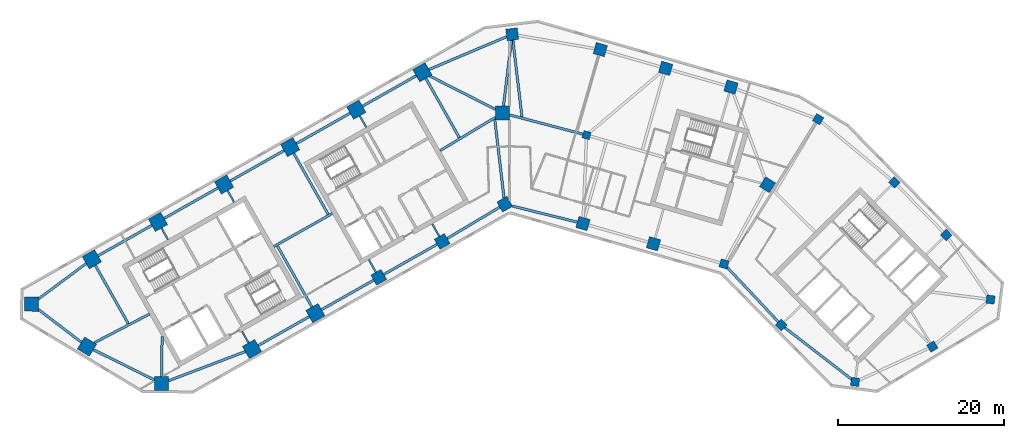
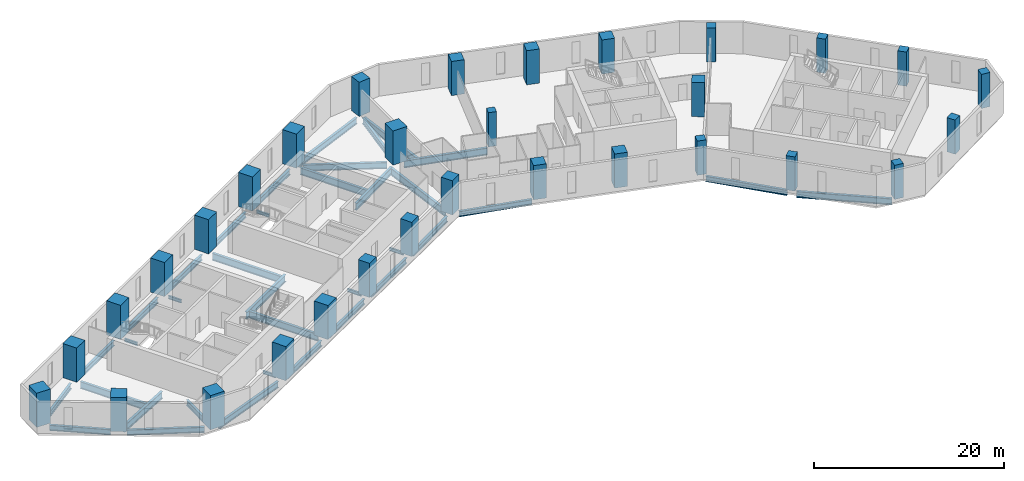
# One storey, part 1 of 10: 36 beams, 31 columns.
"""IFC4 building model written with IfcOpenShell, lengths in metres."""

from ifc_helpers import new_model, si_unit, direction, frame, origin, origin_2d, place, context, subcontext, project, spatial, rectangle, i_section, extrude, material, material_profile, profile_set, type_object, element, save


model = new_model("IFC4")

# Units and contexts
model_context = context("Model", 3, precision=1e-05, world=origin(), true_north=direction((0.0, 1.0)))
body_context = subcontext(model_context, "Body", "Model", "MODEL_VIEW")
ifc_project = project(units=[si_unit("LENGTHUNIT", "METRE"), si_unit("AREAUNIT", "SQUARE_METRE"), si_unit("VOLUMEUNIT", "CUBIC_METRE"), si_unit("PLANEANGLEUNIT", "RADIAN"), si_unit("MASSUNIT", "GRAM", prefix="KILO")], contexts=[model_context])

# Site, building, storey
site_placement = place(None, origin())
site = spatial("IfcSite", under=ifc_project, at=site_placement, CompositionType="ELEMENT")
building_placement = place(site_placement, origin())
building = spatial("IfcBuilding", under=site, at=building_placement, Name="Binnacle Exchange Tower", CompositionType="ELEMENT")
storey_placement = place(building_placement, frame((0.0, 0.0, 110.300048828125)))
storey = spatial("IfcBuildingStorey", under=building, at=storey_placement, Name="L22", CompositionType="ELEMENT", Elevation=110.300048828125)

# Columns
ifc_material_1 = material(Name="Concrete C60/75", Category="concrete")
ifc_material_profile_1 = material_profile(ifc_material_1, rectangle(XDim=0.89990234375, YDim=0.89990234375, at=origin_2d()), Name="Column 900x900 C60/75")
ifc_profile_set_1 = profile_set([ifc_material_profile_1], Name="Concrete C60/75")
column_type_1 = type_object("IfcColumnType", Name="Column 900x900 C60/75", PredefinedType="COLUMN", material=ifc_profile_set_1)
column_placement = place(storey_placement, frame((9.240966796875, 57.35009765625, 0.0), z_axis=(0.0, 0.0, 1.0), x_axis=(0.961261695938, -0.275637355817, 0.0)))
element("IfcColumn", 1, at=column_placement, inside=storey, type_object=column_type_1, Name="S:COL:C19:L22", PredefinedType="COLUMN", context=body_context, shape_type="SweptSolid", body=[
    extrude(rectangle(XDim=0.89990234375, YDim=0.89990234375, at=origin_2d()), origin(), (0.0, 0.0, 1.0), 4.39990234375),
])
ifc_material_2 = material(Name="Concrete C70/85", Category="concrete")
ifc_material_profile_2 = material_profile(ifc_material_2, rectangle(XDim=1.0, YDim=1.0, at=origin_2d()), Name="Mega column 1000x1000 C70/85")
ifc_profile_set_2 = profile_set([ifc_material_profile_2], Name="Concrete C70/85")
column_type_2 = type_object("IfcColumnType", Name="Mega column 1000x1000 C70/85", PredefinedType="COLUMN", material=ifc_profile_set_2)
for number, where, z_axis, x_axis, name in (
    (2, (37.0849609375, 59.262451171875, 0.0), (0.0, 0.0, 1.0), (-0.859406411501, 0.511293086077, 0.0), "S:COL:MC57:L22"),
    (3, (25.766845703125, 41.85986328125, 0.0), (0.0, 0.0, 1.0), (0.961261695938, -0.275637355817, 0.0), "S:COL:MC56:L22"),
    (4, (32.64111328125, 34.530029296875, 0.0), (0.0, 0.0, 1.0), (0.7009092643, -0.713250449154, 0.0), "S:COL:MC59:L22"),
    (5, (41.519775390625, 27.6748046875, 0.0), (0.0, 0.0, 1.0), (0.99200494968, -0.126198969136, 0.0), "S:COL:MC61:L22"),
    (6, (50.81201171875, 31.930908203125, 0.0), (0.0, 0.0, 1.0), (0.857167300702, 0.51503807491, 0.0), "S:COL:MC63:L22"),
    (7, (57.799072265625, 37.5810546875, 0.0), (0.0, 0.0, 1.0), (0.126198969136, 0.99200494968, 0.0), "S:COL:MC62:L22"),
    (8, (52.466796875, 45.33935546875, 0.0), (0.0, 0.0, 1.0), (-0.7009092643, 0.713250449154, 0.0), "S:COL:MC60:L22"),
    (9, (46.248291015625, 51.667236328125, 0.0), (0.0, 0.0, 1.0), (-0.7009092643, 0.713250449154, 0.0), "S:COL:MC58:L22"),
):
    element("IfcColumn", number, at=place(storey_placement, frame(where, z_axis=z_axis, x_axis=x_axis)), inside=storey, type_object=column_type_2, Name=name, PredefinedType="COLUMN", context=body_context, shape_type="SweptSolid", body=[
        extrude(rectangle(XDim=1.0, YDim=1.0, at=origin_2d()), origin(), (0.0, 0.0, 1.0), 4.39990234375),
    ])
ifc_material_profile_3 = material_profile(ifc_material_2, rectangle(XDim=1.39990234375, YDim=1.39990234375, at=origin_2d()), Name="Mega column 1400x1400 C70/85")
ifc_profile_set_3 = profile_set([ifc_material_profile_3], Name="Concrete C70/85")
column_type_3 = type_object("IfcColumnType", Name="Mega column 1400x1400 C70/85", PredefinedType="COLUMN", material=ifc_profile_set_3)
for number, where, z_axis, x_axis, name in (
    (10, (26.602783203125, 63.12353515625, 0.0), (0.0, 0.0, 1.0), (-0.961261695938, 0.275637355817, 0.0), "S:COL:MC52:L22"),
    (11, (18.746337890625, 65.376220703125, 0.0), (0.0, 0.0, 1.0), (-0.961261695938, 0.275637355817, 0.0), "S:COL:MC50:L22"),
    (12, (10.889892578125, 67.62890625, 0.0), (0.0, 0.0, 1.0), (-0.961261695938, 0.275637355817, 0.0), "S:COL:MC48:L22"),
    (13, (0.300048828125, 69.464111328125, 0.0), (0.0, 0.0, 1.0), (-0.993068456955, -0.117537397458, 0.0), "S:COL:MC47:L22"),
    (14, (-15.736328125, 40.257080078125, 0.0), (0.0, 0.0, 1.0), (0.87035569594, 0.492423560103, 0.0), "S:COL:MC24:L22"),
    (15, (-8.116943359375, 44.568115234375, 0.0), (0.0, 0.0, 1.0), (0.87035569594, 0.492423560103, 0.0), "S:COL:MC35:L22"),
    (16, (-0.5908203125, 49.04443359375, 0.0), (0.0, 0.0, 1.0), (0.87035569594, 0.492423560103, 0.0), "S:COL:MC46:L22"),
    (17, (8.8095703125, 46.722412109375, 0.0), (0.0, 0.0, 1.0), (0.961261695938, -0.275637355817, 0.0), "S:COL:MC49:L22"),
    (18, (17.2880859375, 44.291015625, 0.0), (0.0, 0.0, 1.0), (0.961261695938, -0.275637355817, 0.0), "S:COL:MC51:L22"),
    (19, (30.989501953125, 51.38623046875, 0.0), (0.0, 0.0, 1.0), (0.529919264233, 0.848048096156, 0.0), "S:COL:MC55:L22"),
):
    element("IfcColumn", number, at=place(storey_placement, frame(where, z_axis=z_axis, x_axis=x_axis)), inside=storey, type_object=column_type_3, Name=name, PredefinedType="COLUMN", context=body_context, shape_type="SweptSolid", body=[
        extrude(rectangle(XDim=1.39990234375, YDim=1.39990234375, at=origin_2d()), origin(), (0.0, 0.0, 1.0), 4.39990234375),
    ])
ifc_material_profile_4 = material_profile(ifc_material_2, rectangle(XDim=1.699951171875, YDim=1.699951171875, at=origin_2d()), Name="Mega column 1700x1700 C70/85")
ifc_profile_set_4 = profile_set([ifc_material_profile_4], Name="Concrete C70/85")
column_type_4 = type_object("IfcColumnType", Name="Mega column 1700x1700 C70/85", PredefinedType="COLUMN", material=ifc_profile_set_4)
for number, where, z_axis, x_axis, name in (
    (20, (-10.4951171875, 64.901611328125, 0.0), (0.0, 0.0, 1.0), (-0.87035569594, -0.492423560103, 0.0), "S:COL:MC38:L22"),
    (21, (-18.44140625, 60.406005859375, 0.0), (0.0, 0.0, 1.0), (-0.87035569594, -0.492423560103, 0.0), "S:COL:MC29:L22"),
    (22, (-26.3876953125, 55.91015625, 0.0), (0.0, 0.0, 1.0), (-0.87035569594, -0.492423560103, 0.0), "S:COL:MC21:L22"),
    (23, (-34.333740234375, 51.414306640625, 0.0), (0.0, 0.0, 1.0), (-0.87035569594, -0.492423560103, 0.0), "S:COL:MC13:L22"),
    (24, (-42.280029296875, 46.918701171875, 0.0), (0.0, 0.0, 1.0), (-0.87035569594, -0.492423560103, 0.0), "S:COL:MC08:L22"),
    (25, (-50.226318359375, 42.4228515625, 0.0), (0.0, 0.0, 1.0), (-0.87035569594, -0.492423560103, 0.0), "S:COL:MC04:L22"),
    (26, (-57.492919921875, 37.02734375, 0.0), (0.0, 0.0, 1.0), (-0.013089595571, -0.999914327574, 0.0), "S:COL:MC02:L22"),
    (27, (-50.81201171875, 31.930908203125, 0.0), (0.0, 0.0, 1.0), (0.857167300702, -0.51503807491, 0.0), "S:COL:MC01:L22"),
    (28, (-41.857666015625, 27.494873046875, 0.0), (0.0, 0.0, 1.0), (0.999914327574, -0.013089595571, 0.0), "S:COL:MC03:L22"),
    (29, (-30.9755859375, 31.63525390625, 0.0), (0.0, 0.0, 1.0), (0.87035569594, 0.492423560103, 0.0), "S:COL:MC07:L22"),
    (30, (-23.35595703125, 35.9462890625, 0.0), (0.0, 0.0, 1.0), (0.87035569594, 0.492423560103, 0.0), "S:COL:MC16:L22"),
    (31, (-0.85009765625, 60.0, 0.0), (0.0, 0.0, 1.0), (0.0, 1.0, 0.0), "S:COL:MC45:L22"),
):
    element("IfcColumn", number, at=place(storey_placement, frame(where, z_axis=z_axis, x_axis=x_axis)), inside=storey, type_object=column_type_4, Name=name, PredefinedType="COLUMN", context=body_context, shape_type="SweptSolid", body=[
        extrude(rectangle(XDim=1.699951171875, YDim=1.699951171875, at=origin_2d()), origin(), (0.0, 0.0, 1.0), 4.39990234375),
    ])

# Beams
ifc_material_3 = material(Name="Steel S355 (SHN355)", Category="steel")
ifc_material_profile_5 = material_profile(ifc_material_3, i_section(OverallWidth=0.300048828125, OverallDepth=0.699951171875, WebThickness=0.012939453125, FlangeThickness=0.02392578125, FilletRadius=0.028076171875, at=origin_2d()), Name="H 700x300x13x24")
ifc_profile_set_5 = profile_set([ifc_material_profile_5], Name="Steel S355 (SHN355)")
beam_type_1 = type_object("IfcBeamType", Name="Edge girder H 700x300x13x24 Steel S355 (SHN355)", PredefinedType="SPANDREL", material=ifc_profile_set_5)
beam_1_placement = place(storey_placement, frame((-56.6513671875, 36.38525390625, -0.670166015625), z_axis=(0.795093040263, -0.606487474994, 0.0), x_axis=(0.606487474994, 0.795093040263, 0.0)))
element("IfcBeam", 32, at=beam_1_placement, inside=storey, type_object=beam_type_1, Name="S:BM:edge:L22:015", PredefinedType="SPANDREL", context=body_context, shape_type="SweptSolid", body=[
    extrude(i_section(OverallWidth=0.300048828125, OverallDepth=0.699951171875, WebThickness=0.012939453125, FlangeThickness=0.02392578125, FilletRadius=0.028076171875, at=origin_2d()), origin(), (0.0, 0.0, 1.0), 6.489013671875),
])
beam_2_placement = place(storey_placement, frame((-50.913818359375, 41.912353515625, -0.670166015625), z_axis=(-0.80288535334, -0.59613346609, 0.0), x_axis=(0.59613346609, -0.80288535334, 0.0)))
element("IfcBeam", 33, at=beam_2_placement, inside=storey, type_object=beam_type_1, Name="S:BM:edge:L22:016", PredefinedType="SPANDREL", context=body_context, shape_type="SweptSolid", body=[
    extrude(i_section(OverallWidth=0.300048828125, OverallDepth=0.699951171875, WebThickness=0.012939453125, FlangeThickness=0.02392578125, FilletRadius=0.028076171875, at=origin_2d()), origin(), (0.0, 0.0, 1.0), 7.125244140625),
])
beam_3_placement = place(storey_placement, frame((-43.019775390625, 46.5, -0.670166015625), z_axis=(-0.870364477798, -0.492408037898, 0.0), x_axis=(0.492408037898, -0.870364477798, 0.0)))
element("IfcBeam", 34, at=beam_3_placement, inside=storey, type_object=beam_type_1, Name="S:BM:edge:L22:018", PredefinedType="SPANDREL", context=body_context, shape_type="SweptSolid", body=[
    extrude(i_section(OverallWidth=0.300048828125, OverallDepth=0.699951171875, WebThickness=0.012939453125, FlangeThickness=0.02392578125, FilletRadius=0.028076171875, at=origin_2d()), origin(), (0.0, 0.0, 1.0), 7.4296875),
])
beam_4_placement = place(storey_placement, frame((-35.073486328125, 50.995849609375, -0.670166015625), z_axis=(-0.870372444894, -0.492393955253, 0.0), x_axis=(0.492393955253, -0.870372444894, 0.0)))
element("IfcBeam", 35, at=beam_4_placement, inside=storey, type_object=beam_type_1, Name="S:BM:edge:L22:020", PredefinedType="SPANDREL", context=body_context, shape_type="SweptSolid", body=[
    extrude(i_section(OverallWidth=0.300048828125, OverallDepth=0.699951171875, WebThickness=0.012939453125, FlangeThickness=0.02392578125, FilletRadius=0.028076171875, at=origin_2d()), origin(), (0.0, 0.0, 1.0), 7.429931640625),
])
beam_5_placement = place(storey_placement, frame((-30.23583984375, 32.053955078125, -0.670166015625), z_axis=(0.870373276953, 0.492392484473, 0.0), x_axis=(-0.492392484473, 0.870373276953, 0.0)))
element("IfcBeam", 36, at=beam_5_placement, inside=storey, type_object=beam_type_1, Name="S:BM:edge:L22:021", PredefinedType="SPANDREL", context=body_context, shape_type="SweptSolid", body=[
    extrude(i_section(OverallWidth=0.300048828125, OverallDepth=0.699951171875, WebThickness=0.012939453125, FlangeThickness=0.02392578125, FilletRadius=0.028076171875, at=origin_2d()), origin(), (0.0, 0.0, 1.0), 7.0546875),
])
beam_6_placement = place(storey_placement, frame((-27.12744140625, 55.49169921875, -0.670166015625), z_axis=(-0.870350394687, -0.492432929919, 0.0), x_axis=(0.492432929919, -0.870350394687, 0.0)))
element("IfcBeam", 37, at=beam_6_placement, inside=storey, type_object=beam_type_1, Name="S:BM:edge:L22:022", PredefinedType="SPANDREL", context=body_context, shape_type="SweptSolid", body=[
    extrude(i_section(OverallWidth=0.300048828125, OverallDepth=0.699951171875, WebThickness=0.012939453125, FlangeThickness=0.02392578125, FilletRadius=0.028076171875, at=origin_2d()), origin(), (0.0, 0.0, 1.0), 7.429931640625),
])
beam_7_placement = place(storey_placement, frame((-22.6162109375, 36.36474609375, -0.670166015625), z_axis=(0.870345646157, 0.492441322612, 0.0), x_axis=(-0.492441322612, 0.870345646157, 0.0)))
element("IfcBeam", 38, at=beam_7_placement, inside=storey, type_object=beam_type_1, Name="S:BM:edge:L22:023", PredefinedType="SPANDREL", context=body_context, shape_type="SweptSolid", body=[
    extrude(i_section(OverallWidth=0.300048828125, OverallDepth=0.699951171875, WebThickness=0.012939453125, FlangeThickness=0.02392578125, FilletRadius=0.028076171875, at=origin_2d()), origin(), (0.0, 0.0, 1.0), 7.20458984375),
])
beam_8_placement = place(storey_placement, frame((-19.18115234375, 59.9873046875, -0.670166015625), z_axis=(-0.870364477798, -0.492408037898, 0.0), x_axis=(0.492408037898, -0.870364477798, 0.0)))
element("IfcBeam", 39, at=beam_8_placement, inside=storey, type_object=beam_type_1, Name="S:BM:edge:L22:024", PredefinedType="SPANDREL", context=body_context, shape_type="SweptSolid", body=[
    extrude(i_section(OverallWidth=0.300048828125, OverallDepth=0.699951171875, WebThickness=0.012939453125, FlangeThickness=0.02392578125, FilletRadius=0.028076171875, at=origin_2d()), origin(), (0.0, 0.0, 1.0), 7.4296875),
])
beam_9_placement = place(storey_placement, frame((-15.127197265625, 40.601806640625, -0.670166015625), z_axis=(0.870355645737, 0.492423648837, 0.0), x_axis=(-0.492423648837, 0.870355645737, 0.0)))
element("IfcBeam", 40, at=beam_9_placement, inside=storey, type_object=beam_type_1, Name="S:BM:edge:L22:025", PredefinedType="SPANDREL", context=body_context, shape_type="SweptSolid", body=[
    extrude(i_section(OverallWidth=0.300048828125, OverallDepth=0.699951171875, WebThickness=0.012939453125, FlangeThickness=0.02392578125, FilletRadius=0.028076171875, at=origin_2d()), origin(), (0.0, 0.0, 1.0), 7.3544921875),
])
beam_10_placement = place(storey_placement, frame((-11.23486328125, 64.483154296875, -0.670166015625), z_axis=(-0.870364477798, -0.492408037898, 0.0), x_axis=(0.492408037898, -0.870364477798, 0.0)))
element("IfcBeam", 41, at=beam_10_placement, inside=storey, type_object=beam_type_1, Name="S:BM:edge:L22:026", PredefinedType="SPANDREL", context=body_context, shape_type="SweptSolid", body=[
    extrude(i_section(OverallWidth=0.300048828125, OverallDepth=0.699951171875, WebThickness=0.012939453125, FlangeThickness=0.02392578125, FilletRadius=0.028076171875, at=origin_2d()), origin(), (0.0, 0.0, 1.0), 7.4296875),
])
beam_11_placement = place(storey_placement, frame((-7.51513671875, 44.926025390625, -0.670166015625), z_axis=(0.859466137143, 0.511192682952, 0.0), x_axis=(-0.511192682952, 0.859466137143, 0.0)))
element("IfcBeam", 42, at=beam_11_placement, inside=storey, type_object=beam_type_1, Name="S:BM:edge:L22:027", PredefinedType="SPANDREL", context=body_context, shape_type="SweptSolid", body=[
    extrude(i_section(OverallWidth=0.300048828125, OverallDepth=0.699951171875, WebThickness=0.012939453125, FlangeThickness=0.02392578125, FilletRadius=0.028076171875, at=origin_2d()), origin(), (0.0, 0.0, 1.0), 7.356201171875),
])
beam_12_placement = place(storey_placement, frame((0.343994140625, 48.8134765625, -0.670166015625), z_axis=(0.970820959584, -0.239805472064, 0.0), x_axis=(0.239805472064, 0.970820959584, 0.0)))
element("IfcBeam", 43, at=beam_12_placement, inside=storey, type_object=beam_type_1, Name="S:BM:edge:L22:029", PredefinedType="SPANDREL", context=body_context, shape_type="SweptSolid", body=[
    extrude(i_section(OverallWidth=0.300048828125, OverallDepth=0.699951171875, WebThickness=0.012939453125, FlangeThickness=0.02392578125, FilletRadius=0.028076171875, at=origin_2d()), origin(), (0.0, 0.0, 1.0), 8.019287109375),
])
ifc_material_profile_6 = material_profile(ifc_material_3, i_section(OverallWidth=0.302001953125, OverallDepth=0.7080078125, WebThickness=0.014892578125, FlangeThickness=0.028076171875, FilletRadius=0.028076171875, at=origin_2d()), Name="H 708x302x15x28")
ifc_profile_set_6 = profile_set([ifc_material_profile_6], Name="Steel S355 (SHN355)")
beam_type_2 = type_object("IfcBeamType", Name="Edge girder H 708x302x15x28 Steel S355 (SHN355)", PredefinedType="SPANDREL", material=ifc_profile_set_6)
beam_13_placement = place(storey_placement, frame((-50.0478515625, 31.55224609375, -0.674072265625), z_axis=(0.896059216286, -0.443934545749, 0.0), x_axis=(0.443934545749, 0.896059216286, 0.0)))
element("IfcBeam", 44, at=beam_13_placement, inside=storey, type_object=beam_type_2, Name="S:BM:edge:L22:017", PredefinedType="SPANDREL", context=body_context, shape_type="SweptSolid", body=[
    extrude(i_section(OverallWidth=0.302001953125, OverallDepth=0.7080078125, WebThickness=0.014892578125, FlangeThickness=0.028076171875, FilletRadius=0.028076171875, at=origin_2d()), origin(), (0.0, 0.0, 1.0), 8.197509765625),
])
beam_14_placement = place(storey_placement, frame((26.165283203125, 41.43505859375, -0.674072265625), z_axis=(0.684076068391, -0.729410674898, 0.0), x_axis=(0.729410674898, 0.684076068391, 0.0)))
element("IfcBeam", 45, at=beam_14_placement, inside=storey, type_object=beam_type_2, Name="S:BM:edge:L22:035", PredefinedType="SPANDREL", context=body_context, shape_type="SweptSolid", body=[
    extrude(i_section(OverallWidth=0.302001953125, OverallDepth=0.7080078125, WebThickness=0.014892578125, FlangeThickness=0.028076171875, FilletRadius=0.028076171875, at=origin_2d()), origin(), (0.0, 0.0, 1.0), 8.966552734375),
])
ifc_material_profile_7 = material_profile(ifc_material_3, i_section(OverallWidth=0.302001953125, OverallDepth=0.80810546875, WebThickness=0.01611328125, FlangeThickness=0.030029296875, FilletRadius=0.028076171875, at=origin_2d()), Name="H 808x302x16x30")
ifc_profile_set_7 = profile_set([ifc_material_profile_7], Name="Steel S355 (SHN355)")
beam_type_3 = type_object("IfcBeamType", Name="Edge girder H 808x302x16x30 Steel S355 (SHN355)", PredefinedType="SPANDREL", material=ifc_profile_set_7)
beam_15_placement = place(storey_placement, frame((-41.00341796875, 27.81982421875, -0.72412109375), z_axis=(0.934628738252, 0.355624973297, 0.0), x_axis=(-0.355624973297, 0.934628738252, 0.0)))
element("IfcBeam", 46, at=beam_15_placement, inside=storey, type_object=beam_type_3, Name="S:BM:edge:L22:019", PredefinedType="SPANDREL", context=body_context, shape_type="SweptSolid", body=[
    extrude(i_section(OverallWidth=0.302001953125, OverallDepth=0.80810546875, WebThickness=0.01611328125, FlangeThickness=0.030029296875, FilletRadius=0.028076171875, at=origin_2d()), origin(), (0.0, 0.0, 1.0), 9.869384765625),
])
beam_16_placement = place(storey_placement, frame((-0.37109375, 69.180419921875, -0.72412109375), z_axis=(-0.921114465748, -0.389291845523, 0.0), x_axis=(0.389291845523, -0.921114465748, 0.0)))
element("IfcBeam", 47, at=beam_16_placement, inside=storey, type_object=beam_type_3, Name="S:BM:edge:L22:028", PredefinedType="SPANDREL", context=body_context, shape_type="SweptSolid", body=[
    extrude(i_section(OverallWidth=0.302001953125, OverallDepth=0.80810546875, WebThickness=0.01611328125, FlangeThickness=0.030029296875, FilletRadius=0.028076171875, at=origin_2d()), origin(), (0.0, 0.0, 1.0), 10.13525390625),
])
beam_17_placement = place(storey_placement, frame((33.040771484375, 34.2216796875, -0.72412109375), z_axis=(0.791519159984, -0.611144352324, 0.0), x_axis=(0.611144352324, 0.791519159984, 0.0)))
element("IfcBeam", 48, at=beam_17_placement, inside=storey, type_object=beam_type_3, Name="S:BM:edge:L22:036", PredefinedType="SPANDREL", context=body_context, shape_type="SweptSolid", body=[
    extrude(i_section(OverallWidth=0.302001953125, OverallDepth=0.80810546875, WebThickness=0.01611328125, FlangeThickness=0.030029296875, FilletRadius=0.028076171875, at=origin_2d()), origin(), (0.0, 0.0, 1.0), 10.13232421875),
])
ifc_material_profile_8 = material_profile(ifc_material_3, i_section(OverallWidth=0.199951171875, OverallDepth=0.39990234375, WebThickness=0.008056640625, FlangeThickness=0.012939453125, FilletRadius=0.01611328125, at=origin_2d()), Name="H 400x200x8x13")
ifc_profile_set_8 = profile_set([ifc_material_profile_8], Name="Steel S355 (SHN355)")
beam_type_4 = type_object("IfcBeamType", Name="Floor beam H 400x200x8x13 Steel S355 (SHN355)", PredefinedType="BEAM", material=ifc_profile_set_8)
beam_18_placement = place(storey_placement, frame((-41.861328125, 46.178955078125, -0.52001953125), z_axis=(0.492366981934, -0.870387703901, 0.0), x_axis=(0.870387703901, 0.492366981934, 0.0)))
element("IfcBeam", 49, at=beam_18_placement, inside=storey, type_object=beam_type_4, Name="S:BM:cross:L22:044", PredefinedType="BEAM", context=body_context, shape_type="SweptSolid", body=[
    extrude(i_section(OverallWidth=0.199951171875, OverallDepth=0.39990234375, WebThickness=0.008056640625, FlangeThickness=0.012939453125, FilletRadius=0.01611328125, at=origin_2d()), origin(), (0.0, 0.0, 1.0), 1.584228515625),
])
beam_19_placement = place(storey_placement, frame((-33.915283203125, 50.674560546875, -0.52001953125), z_axis=(0.492483715062, -0.870321659158, 0.0), x_axis=(0.870321659158, 0.492483715062, 0.0)))
element("IfcBeam", 50, at=beam_19_placement, inside=storey, type_object=beam_type_4, Name="S:BM:cross:L22:046", PredefinedType="BEAM", context=body_context, shape_type="SweptSolid", body=[
    extrude(i_section(OverallWidth=0.199951171875, OverallDepth=0.39990234375, WebThickness=0.008056640625, FlangeThickness=0.012939453125, FilletRadius=0.01611328125, at=origin_2d()), origin(), (0.0, 0.0, 1.0), 1.58447265625),
])
for number, where, z_axis, x_axis, name in (
    (51, (-31.394287109375, 32.375, -0.52001953125), (-0.492366981934, 0.870387703901, 0.0), (-0.870387703901, -0.492366981934, 0.0), "S:BM:cross:L22:047"),
    (52, (-18.022705078125, 59.666259765625, -0.52001953125), (0.492366981934, -0.870387703901, 0.0), (0.870387703901, 0.492366981934, 0.0), "S:BM:cross:L22:050"),
):
    element("IfcBeam", number, at=place(storey_placement, frame(where, z_axis=z_axis, x_axis=x_axis)), inside=storey, type_object=beam_type_4, Name=name, PredefinedType="BEAM", context=body_context, shape_type="SweptSolid", body=[
        extrude(i_section(OverallWidth=0.199951171875, OverallDepth=0.39990234375, WebThickness=0.008056640625, FlangeThickness=0.012939453125, FilletRadius=0.01611328125, at=origin_2d()), origin(), (0.0, 0.0, 1.0), 1.584228515625),
    ])
for number, where, z_axis, x_axis, name in (
    (53, (-16.0810546875, 40.866455078125, -0.52001953125), (-0.492405102951, 0.870366138236, 0.0), (-0.870366138236, -0.492405102951, 0.0), "S:BM:cross:L22:051"),
    (54, (-8.461669921875, 45.17724609375, -0.52001953125), (-0.492405102951, 0.870366138236, 0.0), (-0.870366138236, -0.492405102951, 0.0), "S:BM:cross:L22:053"),
):
    element("IfcBeam", number, at=place(storey_placement, frame(where, z_axis=z_axis, x_axis=x_axis)), inside=storey, type_object=beam_type_4, Name=name, PredefinedType="BEAM", context=body_context, shape_type="SweptSolid", body=[
        extrude(i_section(OverallWidth=0.199951171875, OverallDepth=0.39990234375, WebThickness=0.008056640625, FlangeThickness=0.012939453125, FilletRadius=0.01611328125, at=origin_2d()), origin(), (0.0, 0.0, 1.0), 1.734375),
    ])
ifc_material_profile_9 = material_profile(ifc_material_3, i_section(OverallWidth=0.300048828125, OverallDepth=0.699951171875, WebThickness=0.012939453125, FlangeThickness=0.02392578125, FilletRadius=0.028076171875, at=origin_2d()), Name="H 700x300x13x24")
ifc_profile_set_9 = profile_set([ifc_material_profile_9], Name="Steel S355 (SHN355)")
beam_type_5 = type_object("IfcBeamType", Name="Floor beam H 700x300x13x24 Steel S355 (SHN355)", PredefinedType="BEAM", material=ifc_profile_set_9)
beam_20_placement = place(storey_placement, frame((-41.8466796875, 28.3447265625, -0.670166015625), z_axis=(0.013120628196, 0.999913920853, 0.0), x_axis=(-0.999913920853, 0.013120628196, 0.0)))
element("IfcBeam", 55, at=beam_20_placement, inside=storey, type_object=beam_type_5, Name="S:BM:cross:L22:045", PredefinedType="BEAM", context=body_context, shape_type="SweptSolid", body=[
    extrude(i_section(OverallWidth=0.300048828125, OverallDepth=0.699951171875, WebThickness=0.012939453125, FlangeThickness=0.02392578125, FilletRadius=0.028076171875, at=origin_2d()), origin(), (0.0, 0.0, 1.0), 4.80078125),
])
ifc_material_profile_10 = material_profile(ifc_material_3, i_section(OverallWidth=0.300048828125, OverallDepth=0.89990234375, WebThickness=0.01611328125, FlangeThickness=0.028076171875, FilletRadius=0.028076171875, at=origin_2d()), Name="H 900x300x16x28")
ifc_profile_set_10 = profile_set([ifc_material_profile_10], Name="Steel S355 (SHN355)")
beam_type_6 = type_object("IfcBeamType", Name="Floor beam H 900x300x16x28 Steel S355 (SHN355)", PredefinedType="BEAM", material=ifc_profile_set_10)
beam_21_placement = place(storey_placement, frame((-49.8076171875, 41.68310546875, -0.77001953125), z_axis=(0.492423370769, -0.87035580306, 0.0), x_axis=(0.87035580306, 0.492423370769, 0.0)))
element("IfcBeam", 56, at=beam_21_placement, inside=storey, type_object=beam_type_6, Name="S:BM:cross:L22:043", PredefinedType="BEAM", context=body_context, shape_type="SweptSolid", body=[
    extrude(i_section(OverallWidth=0.300048828125, OverallDepth=0.89990234375, WebThickness=0.01611328125, FlangeThickness=0.028076171875, FilletRadius=0.028076171875, at=origin_2d()), origin(), (0.0, 0.0, 1.0), 8.041259765625),
])
beam_22_placement = place(storey_placement, frame((-10.076416015625, 64.161865234375, -0.77001953125), z_axis=(0.492410737926, -0.870362950254, 0.0), x_axis=(0.870362950254, 0.492410737926, 0.0)))
element("IfcBeam", 57, at=beam_22_placement, inside=storey, type_object=beam_type_6, Name="S:BM:cross:L22:052", PredefinedType="BEAM", context=body_context, shape_type="SweptSolid", body=[
    extrude(i_section(OverallWidth=0.300048828125, OverallDepth=0.89990234375, WebThickness=0.01611328125, FlangeThickness=0.028076171875, FilletRadius=0.028076171875, at=origin_2d()), origin(), (0.0, 0.0, 1.0), 8.16943359375),
])
ifc_material_profile_11 = material_profile(ifc_material_3, i_section(OverallWidth=0.302001953125, OverallDepth=0.912109375, WebThickness=0.01806640625, FlangeThickness=0.033935546875, FilletRadius=0.028076171875, at=origin_2d()), Name="H 912x302x18x34")
ifc_profile_set_11 = profile_set([ifc_material_profile_11], Name="Steel S355 (SHN355)")
beam_type_7 = type_object("IfcBeamType", Name="Floor beam H 912x302x18x34 Steel S355 (SHN355)", PredefinedType="BEAM", material=ifc_profile_set_11)
for number, where, z_axis, x_axis, name in (
    (58, (-25.968994140625, 55.17041015625, -0.776123046875), (0.492409177884, -0.870363832851, 0.0), (0.870363832851, 0.492409177884, 0.0), "S:BM:cross:L22:048"),
    (59, (-23.774658203125, 36.68603515625, -0.776123046875), (-0.492409177884, 0.870363832851, 0.0), (-0.870363832851, -0.492409177884, 0.0), "S:BM:cross:L22:049"),
):
    element("IfcBeam", number, at=place(storey_placement, frame(where, z_axis=z_axis, x_axis=x_axis)), inside=storey, type_object=beam_type_7, Name=name, PredefinedType="BEAM", context=body_context, shape_type="SweptSolid", body=[
        extrude(i_section(OverallWidth=0.302001953125, OverallDepth=0.912109375, WebThickness=0.01806640625, FlangeThickness=0.033935546875, FilletRadius=0.028076171875, at=origin_2d()), origin(), (0.0, 0.0, 1.0), 8.43408203125),
    ])
ifc_material_profile_12 = material_profile(ifc_material_3, i_section(OverallWidth=0.302978515625, OverallDepth=0.91796875, WebThickness=0.01904296875, FlangeThickness=0.037109375, FilletRadius=0.028076171875, at=origin_2d()), Name="H 918x303x19x37")
ifc_profile_set_12 = profile_set([ifc_material_profile_12], Name="Steel S355 (SHN355)")
beam_type_8 = type_object("IfcBeamType", Name="Floor beam H 918x303x19x37 Steel S355 (SHN355)", PredefinedType="BEAM", material=ifc_profile_set_12)
beam_23_placement = place(storey_placement, frame((-0.68017578125, 49.79833984375, -0.779052734375), z_axis=(-0.11752294526, 0.993070167379, 0.0), x_axis=(-0.993070167379, -0.11752294526, 0.0)))
element("IfcBeam", 60, at=beam_23_placement, inside=storey, type_object=beam_type_8, Name="S:BM:cross:L22:054", PredefinedType="BEAM", context=body_context, shape_type="SweptSolid", body=[
    extrude(i_section(OverallWidth=0.302978515625, OverallDepth=0.91796875, WebThickness=0.01904296875, FlangeThickness=0.037109375, FilletRadius=0.028076171875, at=origin_2d()), origin(), (0.0, 0.0, 1.0), 9.537353515625),
])
beam_24_placement = place(storey_placement, frame((0.38232421875, 68.76904296875, -0.779052734375), z_axis=(0.117557103339, -0.993066124412, 0.0), x_axis=(0.993066124412, 0.117557103339, 0.0)))
element("IfcBeam", 61, at=beam_24_placement, inside=storey, type_object=beam_type_8, Name="S:BM:cross:L22:055", PredefinedType="BEAM", context=body_context, shape_type="SweptSolid", body=[
    extrude(i_section(OverallWidth=0.302978515625, OverallDepth=0.91796875, WebThickness=0.01904296875, FlangeThickness=0.037109375, FilletRadius=0.028076171875, at=origin_2d()), origin(), (0.0, 0.0, 1.0), 9.2998046875),
])
ifc_material_profile_13 = material_profile(ifc_material_3, i_section(OverallWidth=0.302001953125, OverallDepth=0.7080078125, WebThickness=0.014892578125, FlangeThickness=0.028076171875, FilletRadius=0.028076171875, at=origin_2d()), Name="H 708x302x15x28")
ifc_profile_set_13 = profile_set([ifc_material_profile_13], Name="Steel S355 (SHN355)")
beam_type_9 = type_object("IfcBeamType", Name="Spine girder H 708x302x15x28 Steel S355 (SHN355)", PredefinedType="BEAM", material=ifc_profile_set_13)
beam_25_placement = place(storey_placement, frame((-0.74658203125, 60.85009765625, -0.674072265625), z_axis=(0.120612669289, 0.992699644408, 0.0), x_axis=(-0.992699644408, 0.120612669289, 0.0)))
element("IfcBeam", 62, at=beam_25_placement, inside=storey, type_object=beam_type_9, Name="S:BM:spine:L22:005", PredefinedType="BEAM", context=body_context, shape_type="SweptSolid", body=[
    extrude(i_section(OverallWidth=0.302001953125, OverallDepth=0.7080078125, WebThickness=0.014892578125, FlangeThickness=0.028076171875, FilletRadius=0.028076171875, at=origin_2d()), origin(), (0.0, 0.0, 1.0), 7.95703125),
])
ifc_material_profile_14 = material_profile(ifc_material_3, i_section(OverallWidth=0.302001953125, OverallDepth=0.80810546875, WebThickness=0.01611328125, FlangeThickness=0.030029296875, FilletRadius=0.028076171875, at=origin_2d()), Name="H 808x302x16x30")
ifc_profile_set_14 = profile_set([ifc_material_profile_14], Name="Steel S355 (SHN355)")
beam_type_10 = type_object("IfcBeamType", Name="Spine girder H 808x302x16x30 Steel S355 (SHN355)", PredefinedType="BEAM", material=ifc_profile_set_14)
beam_26_placement = place(storey_placement, frame((-1.699951171875, 60.431884765625, -0.72412109375), z_axis=(-0.891471296315, 0.45307717648, 0.0), x_axis=(-0.45307717648, -0.891471296315, 0.0)))
element("IfcBeam", 63, at=beam_26_placement, inside=storey, type_object=beam_type_10, Name="S:BM:spine:L22:004", PredefinedType="BEAM", context=body_context, shape_type="SweptSolid", body=[
    extrude(i_section(OverallWidth=0.302001953125, OverallDepth=0.80810546875, WebThickness=0.01611328125, FlangeThickness=0.030029296875, FilletRadius=0.028076171875, at=origin_2d()), origin(), (0.0, 0.0, 1.0), 8.845703125),
])
ifc_material_profile_15 = material_profile(ifc_material_3, i_section(OverallWidth=0.300048828125, OverallDepth=0.89990234375, WebThickness=0.01611328125, FlangeThickness=0.028076171875, FilletRadius=0.028076171875, at=origin_2d()), Name="H 900x300x16x28")
ifc_profile_set_15 = profile_set([ifc_material_profile_15], Name="Steel S355 (SHN355)")
beam_type_11 = type_object("IfcBeamType", Name="Spine girder H 900x300x16x28 Steel S355 (SHN355)", PredefinedType="BEAM", material=ifc_profile_set_15)
beam_27_placement = place(storey_placement, frame((-49.927734375, 32.391357421875, -0.77001953125), z_axis=(0.886979965344, 0.461807904954, 0.0), x_axis=(-0.461807904954, 0.886979965344, 0.0)))
element("IfcBeam", 64, at=beam_27_placement, inside=storey, type_object=beam_type_11, Name="S:BM:spine:L22:001", PredefinedType="BEAM", context=body_context, shape_type="SweptSolid", body=[
    extrude(i_section(OverallWidth=0.300048828125, OverallDepth=0.89990234375, WebThickness=0.01611328125, FlangeThickness=0.028076171875, FilletRadius=0.028076171875, at=origin_2d()), origin(), (0.0, 0.0, 1.0), 7.463623046875),
])
beam_28_placement = place(storey_placement, frame((-8.36328125, 55.489990234375, -0.77001953125), z_axis=(0.857393122678, 0.514662057261, 0.0), x_axis=(-0.514662057261, 0.857393122678, 0.0)))
element("IfcBeam", 65, at=beam_28_placement, inside=storey, type_object=beam_type_11, Name="S:BM:spine:L22:003", PredefinedType="BEAM", context=body_context, shape_type="SweptSolid", body=[
    extrude(i_section(OverallWidth=0.300048828125, OverallDepth=0.89990234375, WebThickness=0.01611328125, FlangeThickness=0.028076171875, FilletRadius=0.028076171875, at=origin_2d()), origin(), (0.0, 0.0, 1.0), 7.771728515625),
])
ifc_material_profile_16 = material_profile(ifc_material_3, i_section(OverallWidth=0.302001953125, OverallDepth=0.912109375, WebThickness=0.01806640625, FlangeThickness=0.033935546875, FilletRadius=0.028076171875, at=origin_2d()), Name="H 912x302x18x34")
ifc_profile_set_16 = profile_set([ifc_material_profile_16], Name="Steel S355 (SHN355)")
beam_type_12 = type_object("IfcBeamType", Name="Spine girder H 912x302x18x34 Steel S355 (SHN355)", PredefinedType="BEAM", material=ifc_profile_set_16)
beam_29_placement = place(storey_placement, frame((-28.365478515625, 43.951416015625, -0.776123046875), z_axis=(0.870350319004, 0.492433063684, 0.0), x_axis=(-0.492433063684, 0.870350319004, 0.0)))
element("IfcBeam", 66, at=beam_29_placement, inside=storey, type_object=beam_type_12, Name="S:BM:spine:L22:002", PredefinedType="BEAM", context=body_context, shape_type="SweptSolid", body=[
    extrude(i_section(OverallWidth=0.302001953125, OverallDepth=0.912109375, WebThickness=0.01806640625, FlangeThickness=0.033935546875, FilletRadius=0.028076171875, at=origin_2d()), origin(), (0.0, 0.0, 1.0), 8.0908203125),
])
ifc_material_profile_17 = material_profile(ifc_material_3, i_section(OverallWidth=0.302978515625, OverallDepth=0.91796875, WebThickness=0.01904296875, FlangeThickness=0.037109375, FilletRadius=0.028076171875, at=origin_2d()), Name="H 918x303x19x37")
ifc_profile_set_17 = profile_set([ifc_material_profile_17], Name="Steel S355 (SHN355)")
beam_type_13 = type_object("IfcBeamType", Name="Spine girder H 918x303x19x37 Steel S355 (SHN355)", PredefinedType="BEAM", material=ifc_profile_set_17)
beam_30_placement = place(storey_placement, frame((0.0, 59.77685546875, -0.779052734375), z_axis=(0.967208488002, -0.253983741089, 0.0), x_axis=(0.253983741089, 0.967208488002, 0.0)))
element("IfcBeam", 67, at=beam_30_placement, inside=storey, type_object=beam_type_13, Name="S:BM:spine:L22:006", PredefinedType="BEAM", context=body_context, shape_type="SweptSolid", body=[
    extrude(i_section(OverallWidth=0.302978515625, OverallDepth=0.91796875, WebThickness=0.01904296875, FlangeThickness=0.037109375, FilletRadius=0.028076171875, at=origin_2d()), origin(), (0.0, 0.0, 1.0), 9.10400390625),
])

save(model, "model.ifc")
